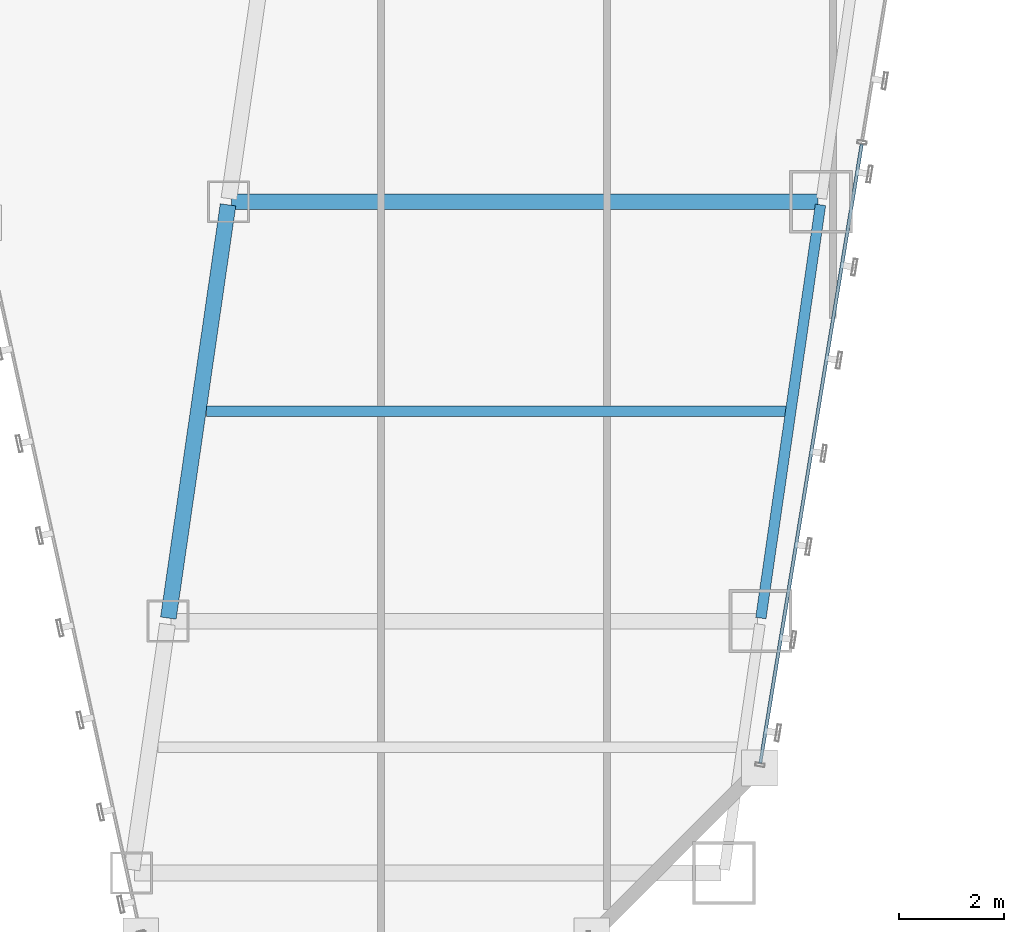
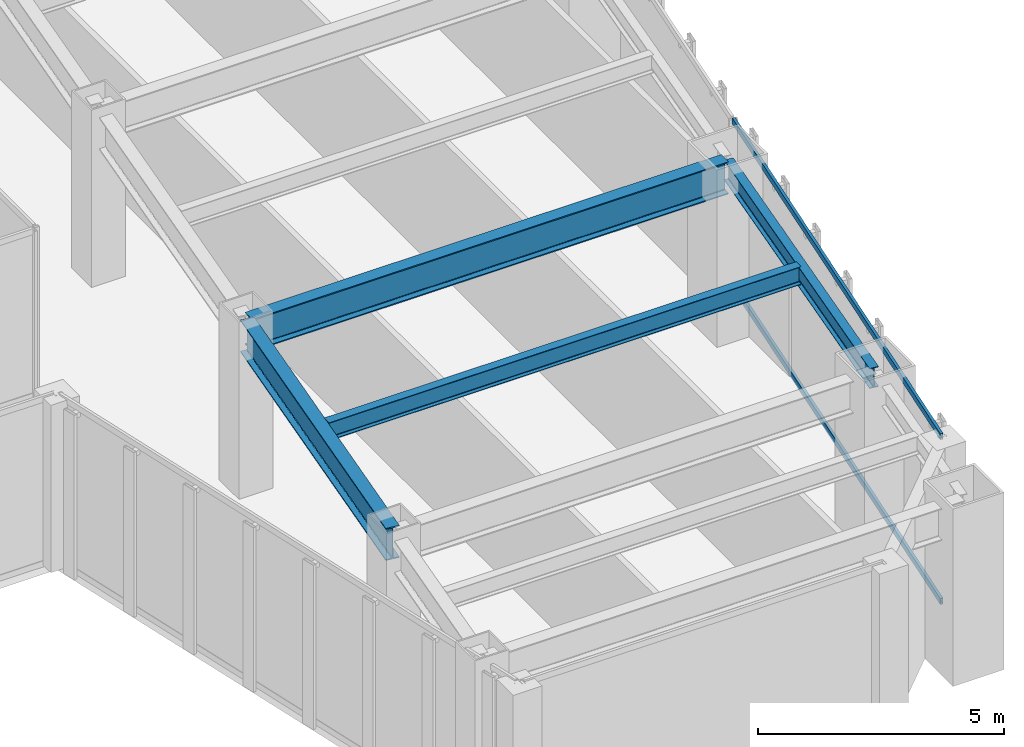
# One storey, part 16 of 47: 4 beams, 2 members, 1 element without a shape of its own.
"""IFC4 building model written with IfcOpenShell, lengths in metres."""

from ifc_helpers import new_model, si_unit, direction, frame, origin, origin_2d, place, context, subcontext, project, spatial, hollow_rectangle, i_section, extrude, material, material_profile, profile_set, type_object, element, aggregate, save


model = new_model("IFC4")

# Units and contexts
model_context = context("Model", 3, precision=1e-05, world=origin(), true_north=direction((0.0, 1.0)))
body_context = subcontext(model_context, "Body", "Model", "MODEL_VIEW")
ifc_project = project(units=[si_unit("LENGTHUNIT", "METRE"), si_unit("AREAUNIT", "SQUARE_METRE"), si_unit("VOLUMEUNIT", "CUBIC_METRE"), si_unit("PLANEANGLEUNIT", "RADIAN"), si_unit("MASSUNIT", "GRAM", prefix="KILO")], contexts=[model_context])

# Site, building, storey
site_placement = place(None, origin())
site = spatial("IfcSite", under=ifc_project, at=site_placement, CompositionType="ELEMENT")
building_placement = place(site_placement, origin())
building = spatial("IfcBuilding", under=site, at=building_placement, Name="Saevonmaru Cultural Tower", CompositionType="ELEMENT")
storey_placement = place(building_placement, frame((0.0, 0.0, 64.800048828125)))
storey = spatial("IfcBuildingStorey", under=building, at=storey_placement, Name="L13", CompositionType="ELEMENT", Elevation=64.800048828125)

# Beams
ifc_material_1 = material(Name="Steel SM420", Category="steel")
ifc_material_profile_1 = material_profile(ifc_material_1, i_section(OverallWidth=0.300048828125, OverallDepth=0.800048828125, WebThickness=0.013916015625, FlangeThickness=0.02587890625, FilletRadius=0.028076171875, at=origin_2d()), Name="H-800x300x14x26")
ifc_profile_set_1 = profile_set([ifc_material_profile_1], Name="Steel SM420")
beam_type_1 = type_object("IfcBeamType", Name="BM-G-H800", PredefinedType="BEAM", material=ifc_profile_set_1)
beam_1_placement = place(storey_placement, frame((36.925537109375, 8.059326171875, 3.75), z_axis=(0.142902032203, 0.989736838353, 0.0), x_axis=(-0.989736838353, 0.142902032203, 0.0)))
element("IfcBeam", 1, at=beam_1_placement, inside=storey, type_object=beam_type_1, Name="L13 East Atrium Girder 2", PredefinedType="BEAM", context=body_context, shape_type="SweptSolid", body=[
    extrude(i_section(OverallWidth=0.300048828125, OverallDepth=0.800048828125, WebThickness=0.013916015625, FlangeThickness=0.02587890625, FilletRadius=0.028076171875, at=origin_2d()), origin(), (0.0, 0.0, 1.0), 7.963134765625),
])
beam_2_placement = place(storey_placement, frame((38.132080078125, 16.0, 3.75), z_axis=(1.0, 0.0, 0.0), x_axis=(0.0, 1.0, 0.0)))
element("IfcBeam", 2, at=beam_2_placement, inside=storey, type_object=beam_type_1, Name="L13 East Wing Transverse Girder 3", PredefinedType="BEAM", context=body_context, shape_type="SweptSolid", body=[
    extrude(i_section(OverallWidth=0.300048828125, OverallDepth=0.800048828125, WebThickness=0.013916015625, FlangeThickness=0.02587890625, FilletRadius=0.028076171875, at=origin_2d()), origin(), (0.0, 0.0, 1.0), 11.179931640625),
])
ifc_material_2 = material(Name="Steel SM355", Category="steel")
ifc_material_profile_2 = material_profile(ifc_material_2, i_section(OverallWidth=0.199951171875, OverallDepth=0.449951171875, WebThickness=0.009033203125, FlangeThickness=0.013916015625, FilletRadius=0.01806640625, at=origin_2d()), Name="H-450x200x9x14")
ifc_profile_set_2 = profile_set([ifc_material_profile_2], Name="Steel SM355")
beam_type_2 = type_object("IfcBeamType", Name="BM-J-H450", PredefinedType="JOIST", material=ifc_profile_set_2)
beam_3_placement = place(storey_placement, frame((37.652587890625, 12.0, 3.925048828125), z_axis=(1.0, 0.0, 0.0), x_axis=(0.0, 1.0, 0.0)))
element("IfcBeam", 3, at=beam_3_placement, inside=storey, type_object=beam_type_2, Name="L13 East Wing Floor Joist 2", PredefinedType="JOIST", context=body_context, shape_type="SweptSolid", body=[
    extrude(i_section(OverallWidth=0.199951171875, OverallDepth=0.449951171875, WebThickness=0.009033203125, FlangeThickness=0.013916015625, FilletRadius=0.01806640625, at=origin_2d()), origin(), (0.0, 0.0, 1.0), 11.08203125),
])
ifc_material_profile_3 = material_profile(ifc_material_2, i_section(OverallWidth=0.199951171875, OverallDepth=0.5, WebThickness=0.010009765625, FlangeThickness=0.01611328125, FilletRadius=0.02001953125, at=origin_2d()), Name="H-500x200x10x16")
ifc_profile_set_3 = profile_set([ifc_material_profile_3], Name="Steel SM355")
beam_type_3 = type_object("IfcBeamType", Name="BM-SP-H500", PredefinedType="SPANDREL", material=ifc_profile_set_3)
beam_4_placement = place(storey_placement, frame((48.2255859375, 8.059326171875, 3.89990234375), z_axis=(0.142871999001, 0.989741174197, 0.0), x_axis=(-0.989741174197, 0.142871999001, 0.0)))
element("IfcBeam", 4, at=beam_4_placement, inside=storey, type_object=beam_type_3, Name="L13 East Splayed Spandrel 2", PredefinedType="SPANDREL", context=body_context, shape_type="SweptSolid", body=[
    extrude(i_section(OverallWidth=0.199951171875, OverallDepth=0.5, WebThickness=0.010009765625, FlangeThickness=0.01611328125, FilletRadius=0.02001953125, at=origin_2d()), origin(), (0.0, 0.0, 1.0), 7.963134765625),
])

# Curtain wall, members
ifc_material_3 = material(Name="Satin Bronze Anodised Aluminium", Category="aluminium")
curtain_wall_type = type_object("IfcCurtainWallType", Name="CW-TYP-A", PredefinedType="NOTDEFINED", material=ifc_material_3)
curtain_wall_placement = place(storey_placement, origin())
curtain_wall = element("IfcCurtainWall", 5, at=curtain_wall_placement, inside=storey, type_object=curtain_wall_type, Name="L13 Unitised Curtain Wall E8", PredefinedType="NOTDEFINED")
ifc_material_profile_4 = material_profile(ifc_material_3, hollow_rectangle(XDim=0.06494140625, YDim=0.14990234375, WallThickness=0.00390625, at=origin_2d()), Name="ALU-TRAN-150x65x4")
ifc_profile_set_4 = profile_set([ifc_material_profile_4], Name="Satin Bronze Anodised Aluminium")
member_type = type_object("IfcMemberType", Name="TR-CW-150x65", PredefinedType="USERDEFINED", material=ifc_profile_set_4)
member_1_placement = place(storey_placement, frame((48.21484375, 5.291259765625, 0.032470703125), z_axis=(0.161724530373, 0.986835941925, 0.0), x_axis=(-0.986835941925, 0.161724530373, 0.0)))
member_1 = element("IfcMember", 6, at=member_1_placement, type_object=member_type, Name="CW-TW-L13-E8 transom 1.1", ObjectType="TRANSOM", PredefinedType="USERDEFINED", context=body_context, shape_type="SweptSolid", body=[
    extrude(hollow_rectangle(XDim=0.06494140625, YDim=0.14990234375, WallThickness=0.00390625, at=origin_2d()), origin(), (0.0, 0.0, 1.0), 11.963623046875),
])
member_2_placement = place(storey_placement, frame((48.21484375, 5.291259765625, 4.117431640625), z_axis=(0.161724530373, 0.986835941925, 0.0), x_axis=(-0.986835941925, 0.161724530373, 0.0)))
member_2 = element("IfcMember", 7, at=member_2_placement, type_object=member_type, Name="CW-TW-L13-E8 transom 1.2", ObjectType="TRANSOM", PredefinedType="USERDEFINED", context=body_context, shape_type="SweptSolid", body=[
    extrude(hollow_rectangle(XDim=0.06494140625, YDim=0.14990234375, WallThickness=0.00390625, at=origin_2d()), origin(), (0.0, 0.0, 1.0), 11.963623046875),
])
aggregate(curtain_wall, [member_1, member_2])

save(model, "model.ifc")
